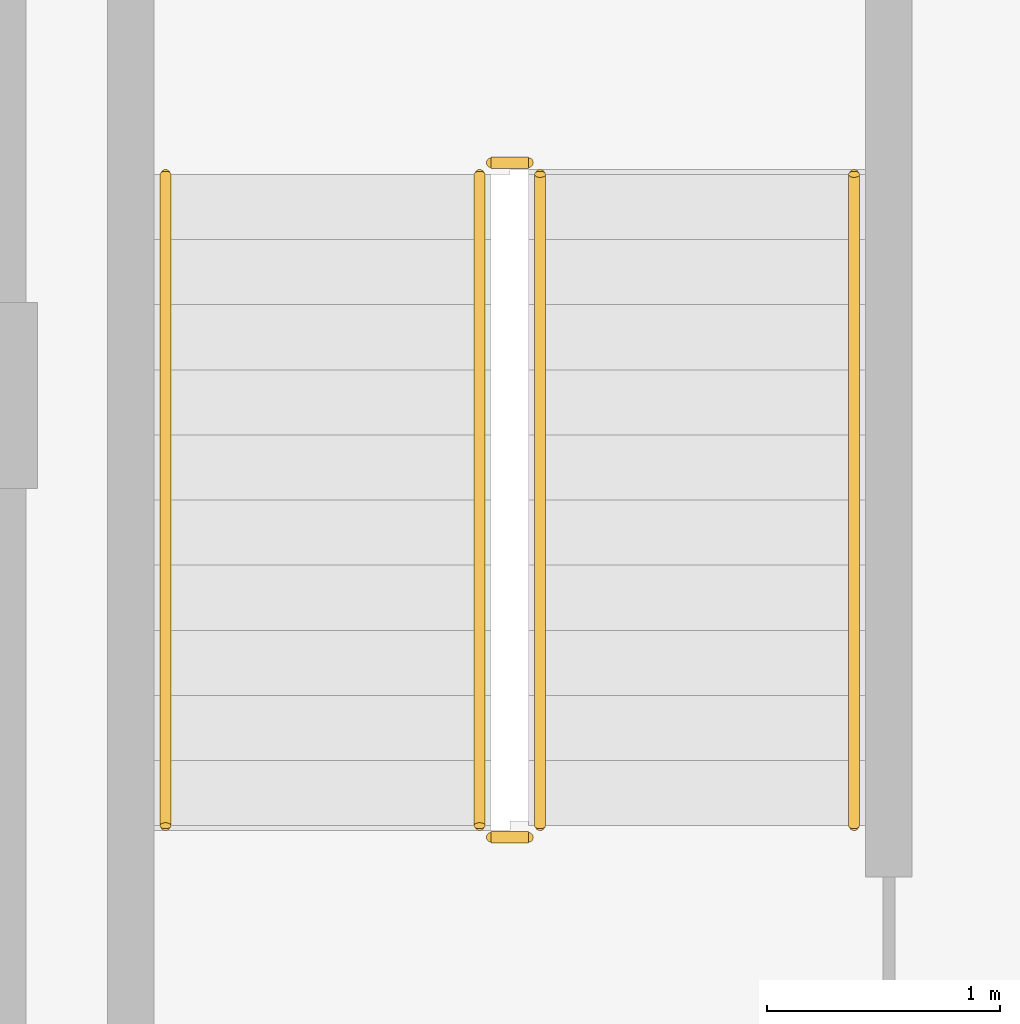
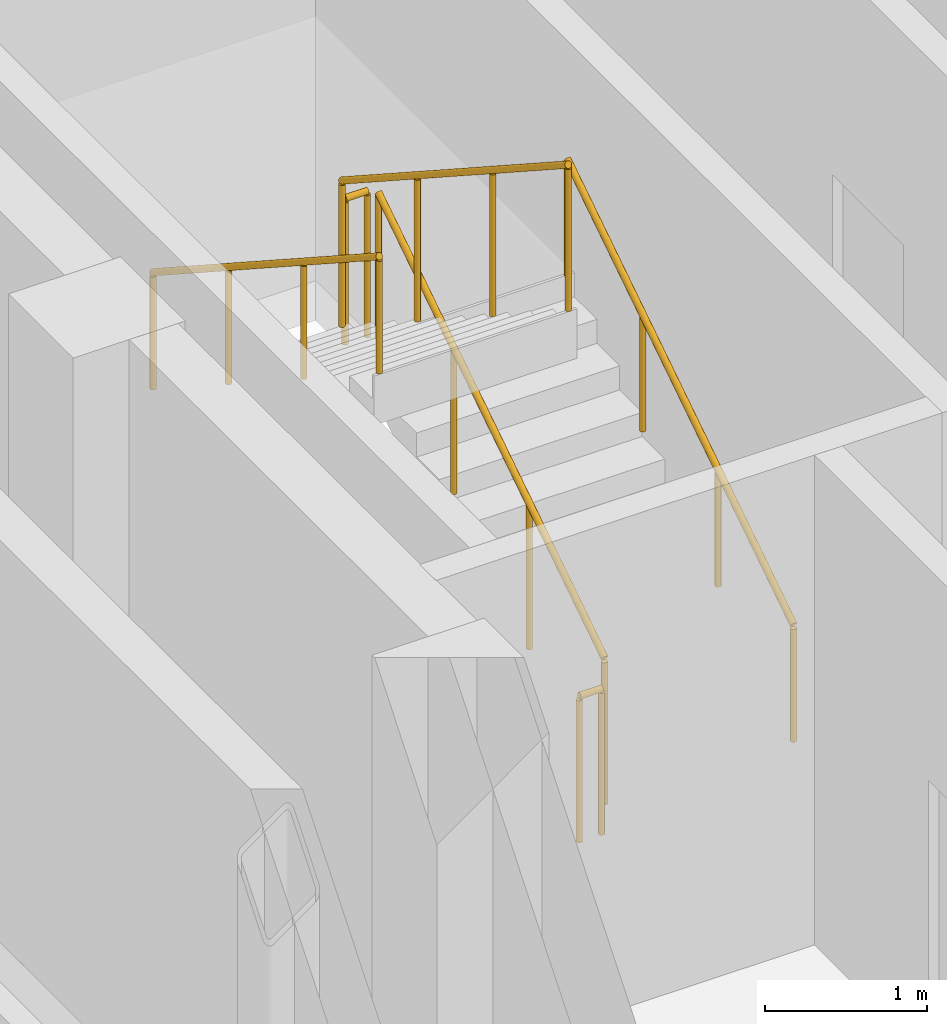
# One storey, part 8 of 10: 6 railings.
"""IFC4 building model written with IfcOpenShell, lengths in metres."""

from ifc_helpers import new_model, si_unit, direction, frame, origin, origin_2d, place, context, subcontext, project, spatial, circle, extrude, material, type_object, element, save


model = new_model("IFC4")

# Units and contexts
model_context = context("Model", 3, precision=1e-05, world=origin(), true_north=direction((0.0, 1.0)))
body_context = subcontext(model_context, "Body", "Model", "MODEL_VIEW")
ifc_project = project(units=[si_unit("LENGTHUNIT", "METRE"), si_unit("AREAUNIT", "SQUARE_METRE"), si_unit("VOLUMEUNIT", "CUBIC_METRE"), si_unit("PLANEANGLEUNIT", "RADIAN"), si_unit("MASSUNIT", "GRAM", prefix="KILO")], contexts=[model_context])

# Site, building, storey
site_placement = place(None, origin())
site = spatial("IfcSite", under=ifc_project, at=site_placement, CompositionType="ELEMENT")
building_placement = place(site_placement, origin())
building = spatial("IfcBuilding", under=site, at=building_placement, Name="Nuvemarco Arch Tower", CompositionType="ELEMENT")
storey_placement = place(building_placement, frame((0.0, 0.0, 295.14990234375)))
storey = spatial("IfcBuildingStorey", under=building, at=storey_placement, Name="L78", CompositionType="ELEMENT", Elevation=295.14990234375)

# Railings
ifc_material_1 = material(Name="Brushed stainless steel handrail", Category="steel")
railing_type_1 = type_object("IfcRailingType", Name="RL-HANDRAIL-900", PredefinedType="HANDRAIL", material=ifc_material_1)
railing_1_placement = place(storey_placement, frame((-13.590087890625, 2.64990234375, 0.181884765625)))
element("IfcRailing", 1, at=railing_1_placement, inside=storey, type_object=railing_type_1, Name="L78 ST-1 stair handrail 1", PredefinedType="HANDRAIL", context=body_context, shape_type="SweptSolid", body=[
    extrude(circle(Radius=0.02392578125, at=origin_2d()), frame((0.0, 0.0, 0.8759765625), z_axis=(0.0, 0.838705829183, 0.544584733623), x_axis=(-1.0, 0.0, 0.0)), (0.0, 0.0, 1.0), 3.338623046875),
    extrude(circle(Radius=0.02099609375, at=origin_2d()), origin(), (0.0, 0.0, 1.0), 0.851806640625),
    extrude(circle(Radius=0.02099609375, at=origin_2d()), frame((0.0, 0.933349609375, 0.60595703125)), (0.0, 0.0, 1.0), 0.851806640625),
    extrude(circle(Radius=0.02099609375, at=origin_2d()), frame((0.0, 1.86669921875, 1.212158203125)), (0.0, 0.0, 1.0), 0.851806640625),
    extrude(circle(Radius=0.02099609375, at=origin_2d()), frame((0.0, 2.800048828125, 1.818115234375)), (0.0, 0.0, 1.0), 0.851806640625),
])
railing_2_placement = place(storey_placement, frame((-16.550048828125, 5.449951171875, 2.181884765625)))
element("IfcRailing", 2, at=railing_2_placement, inside=storey, type_object=railing_type_1, Name="L78 ST-1 stair handrail 2", PredefinedType="HANDRAIL", context=body_context, shape_type="SweptSolid", body=[
    extrude(circle(Radius=0.02392578125, at=origin_2d()), frame((0.0, 0.0, 0.8759765625), z_axis=(0.0, -0.838705829183, 0.544584733623), x_axis=(1.0, 0.0, 0.0)), (0.0, 0.0, 1.0), 3.338623046875),
    extrude(circle(Radius=0.02099609375, at=origin_2d()), origin(), (0.0, 0.0, 1.0), 0.851806640625),
    extrude(circle(Radius=0.02099609375, at=origin_2d()), frame((0.0, -0.933349609375, 0.60595703125)), (0.0, 0.0, 1.0), 0.851806640625),
    extrude(circle(Radius=0.02099609375, at=origin_2d()), frame((0.0, -1.86669921875, 1.212158203125)), (0.0, 0.0, 1.0), 0.851806640625),
    extrude(circle(Radius=0.02099609375, at=origin_2d()), frame((0.0, -2.800048828125, 1.818115234375)), (0.0, 0.0, 1.0), 0.851806640625),
])
ifc_material_2 = material(Name="Painted balustrade steel S355", Category="steel")
railing_type_2 = type_object("IfcRailingType", Name="RL-STAIR-GUARD", PredefinedType="GUARDRAIL", material=ifc_material_2)
railing_3_placement = place(storey_placement, frame((-14.93994140625, 2.64990234375, 0.181884765625)))
element("IfcRailing", 3, at=railing_3_placement, inside=storey, type_object=railing_type_2, Name="L78 ST-1 stair guard 1", PredefinedType="GUARDRAIL", context=body_context, shape_type="SweptSolid", body=[
    extrude(circle(Radius=0.02392578125, at=origin_2d()), frame((0.0, 0.0, 1.09619140625), z_axis=(0.0, 0.838705829183, 0.544584733623), x_axis=(-1.0, 0.0, 0.0)), (0.0, 0.0, 1.0), 3.338623046875),
    extrude(circle(Radius=0.02099609375, at=origin_2d()), origin(), (0.0, 0.0, 1.0), 1.072021484375),
    extrude(circle(Radius=0.02099609375, at=origin_2d()), frame((0.0, 0.933349609375, 0.60595703125)), (0.0, 0.0, 1.0), 1.072021484375),
    extrude(circle(Radius=0.02099609375, at=origin_2d()), frame((0.0, 1.86669921875, 1.212158203125)), (0.0, 0.0, 1.0), 1.072021484375),
    extrude(circle(Radius=0.02099609375, at=origin_2d()), frame((0.0, 2.800048828125, 1.818115234375)), (0.0, 0.0, 1.0), 1.072021484375),
])
railing_4_placement = place(storey_placement, frame((-14.989990234375, 5.5, 2.0)))
element("IfcRailing", 4, at=railing_4_placement, inside=storey, type_object=railing_type_2, Name="L78 ST-1 stair guard 2", PredefinedType="GUARDRAIL", context=body_context, shape_type="SweptSolid", body=[
    extrude(circle(Radius=0.02392578125, at=origin_2d()), frame((0.0, 0.0, 1.09619140625), z_axis=(-1.0, 0.0, 0.0), x_axis=(0.0, -1.0, 0.0)), (0.0, 0.0, 1.0), 0.159912109375),
    extrude(circle(Radius=0.02099609375, at=origin_2d()), origin(), (0.0, 0.0, 1.0), 1.072021484375),
    extrude(circle(Radius=0.02099609375, at=origin_2d()), frame((-0.159912109375, 0.0, 0.0)), (0.0, 0.0, 1.0), 1.072021484375),
])
railing_5_placement = place(storey_placement, frame((-15.199951171875, 5.449951171875, 2.181884765625)))
element("IfcRailing", 5, at=railing_5_placement, inside=storey, type_object=railing_type_2, Name="L78 ST-1 stair guard 3", PredefinedType="GUARDRAIL", context=body_context, shape_type="SweptSolid", body=[
    extrude(circle(Radius=0.02392578125, at=origin_2d()), frame((0.0, 0.0, 1.09619140625), z_axis=(0.0, -0.838705829183, 0.544584733623), x_axis=(1.0, 0.0, 0.0)), (0.0, 0.0, 1.0), 3.338623046875),
    extrude(circle(Radius=0.02099609375, at=origin_2d()), origin(), (0.0, 0.0, 1.0), 1.072021484375),
    extrude(circle(Radius=0.02099609375, at=origin_2d()), frame((0.0, -0.933349609375, 0.60595703125)), (0.0, 0.0, 1.0), 1.072021484375),
    extrude(circle(Radius=0.02099609375, at=origin_2d()), frame((0.0, -1.86669921875, 1.212158203125)), (0.0, 0.0, 1.0), 1.072021484375),
    extrude(circle(Radius=0.02099609375, at=origin_2d()), frame((0.0, -2.800048828125, 1.818115234375)), (0.0, 0.0, 1.0), 1.072021484375),
])
railing_6_placement = place(storey_placement, frame((-14.989990234375, 2.60009765625, 0.0)))
element("IfcRailing", 6, at=railing_6_placement, inside=storey, type_object=railing_type_2, Name="L78 ST-1 stair guard 4", PredefinedType="GUARDRAIL", context=body_context, shape_type="SweptSolid", body=[
    extrude(circle(Radius=0.02392578125, at=origin_2d()), frame((0.0, 0.0, 1.09619140625), z_axis=(-1.0, 0.0, 0.0), x_axis=(0.0, -1.0, 0.0)), (0.0, 0.0, 1.0), 0.159912109375),
    extrude(circle(Radius=0.02099609375, at=origin_2d()), origin(), (0.0, 0.0, 1.0), 1.072021484375),
    extrude(circle(Radius=0.02099609375, at=origin_2d()), frame((-0.159912109375, 0.0, 0.0)), (0.0, 0.0, 1.0), 1.072021484375),
])

save(model, "model.ifc")
